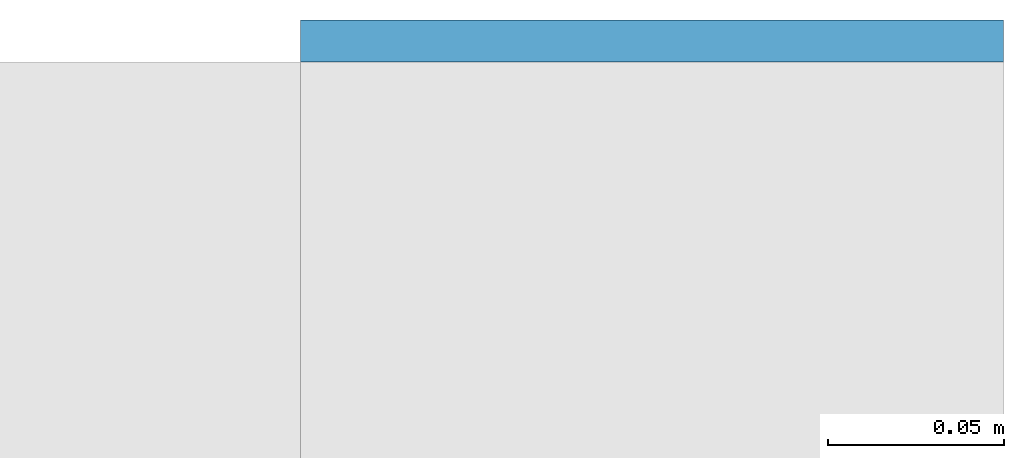
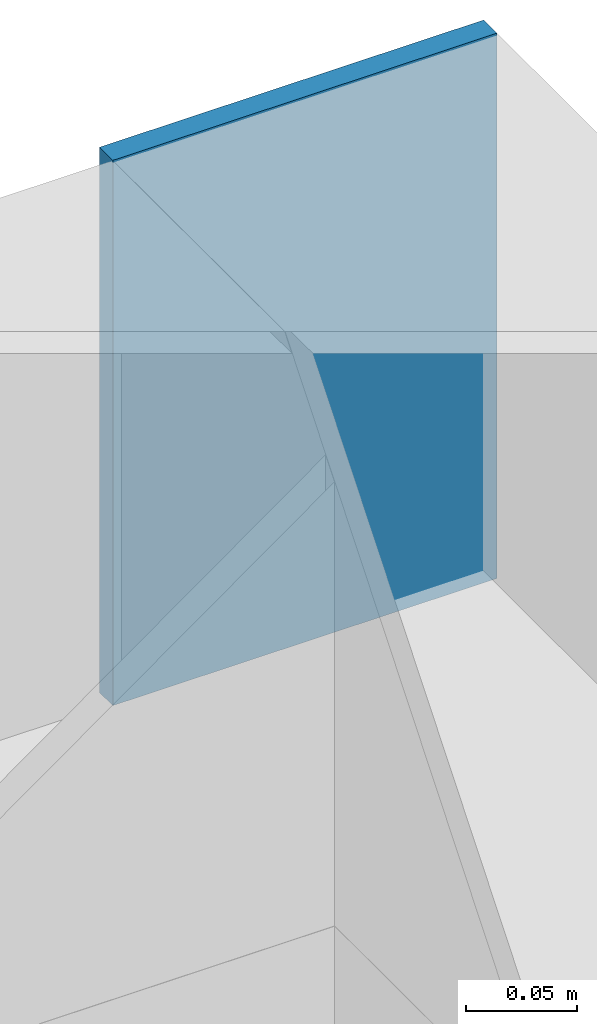
# One storey, part 235 of 646: 1 discrete accessory.
"""IFC4 building model written with IfcOpenShell, lengths in metres."""

from ifc_helpers import new_model, si_unit, direction, frame, origin, origin_2d, place, context, subcontext, project, spatial, rectangle, extrude, material, layer, layer_set, type_object, element, save


model = new_model("IFC4")

# Units and contexts
model_context = context("Model", 3, precision=1e-05, world=origin(), true_north=direction((0.0, 1.0)))
body_context = subcontext(model_context, "Body", "Model", "MODEL_VIEW")
ifc_project = project(units=[si_unit("LENGTHUNIT", "METRE"), si_unit("AREAUNIT", "SQUARE_METRE"), si_unit("VOLUMEUNIT", "CUBIC_METRE"), si_unit("PLANEANGLEUNIT", "RADIAN"), si_unit("MASSUNIT", "GRAM", prefix="KILO")], contexts=[model_context])

# Site, building, storey
site_placement = place(None, origin())
site = spatial("IfcSite", under=ifc_project, at=site_placement, CompositionType="ELEMENT")
building_placement = place(site_placement, origin())
building = spatial("IfcBuilding", under=site, at=building_placement, Name="Silverbay Arena", CompositionType="ELEMENT")
storey_placement = place(building_placement, frame((0.0, 0.0, 33.5)))
storey = spatial("IfcBuildingStorey", under=building, at=storey_placement, Name="L05", CompositionType="ELEMENT", Elevation=33.5)

# Discrete accessory
ifc_material = material(Name="Steel S355", Category="steel")
ifc_layer = layer(ifc_material, 0.011962890625)
ifc_layer_set = layer_set([ifc_layer], Name="Steel S355")
discrete_accessory_type = type_object("IfcDiscreteAccessoryType", Name="Purlin end plate 12", PredefinedType="USERDEFINED", material=ifc_layer_set)
discrete_accessory_placement = place(storey_placement, frame((211.5, 153.10009765625, 13.14990234375), z_axis=(0.0, 1.0, 0.0), x_axis=(-1.0, 0.0, 0.0)))
element("IfcDiscreteAccessory", 1, at=discrete_accessory_placement, inside=storey, type_object=discrete_accessory_type, Name="Purlin end plate", ObjectType="END PLATE", PredefinedType="USERDEFINED", context=body_context, shape_type="SweptSolid", body=[
    extrude(rectangle(XDim=0.199951171875, YDim=0.300048828125, at=origin_2d()), origin(), (0.0, 0.0, 1.0), 0.011962890625),
])

save(model, "model.ifc")
